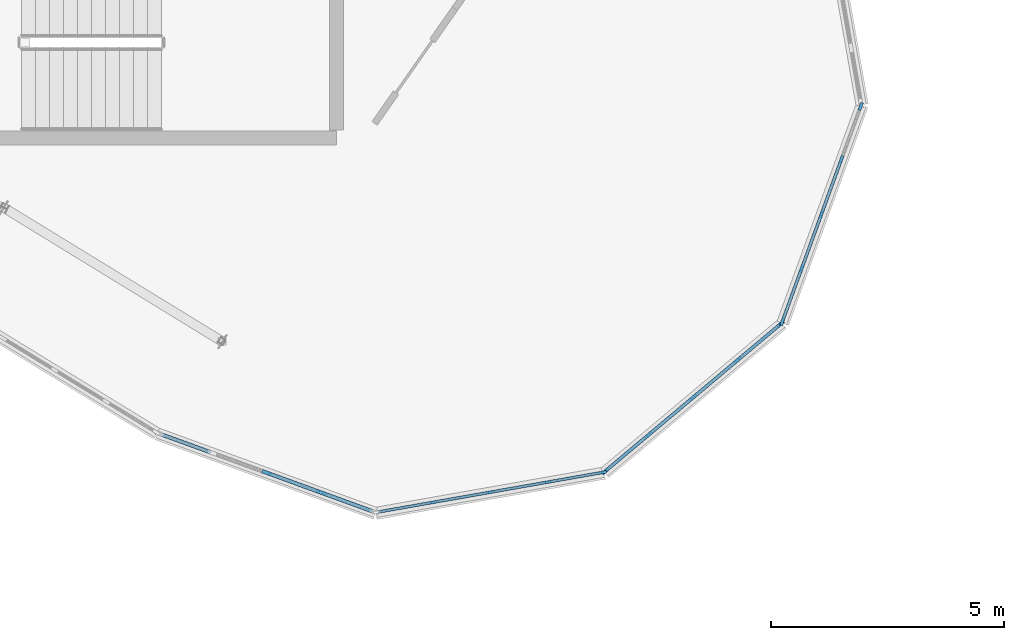
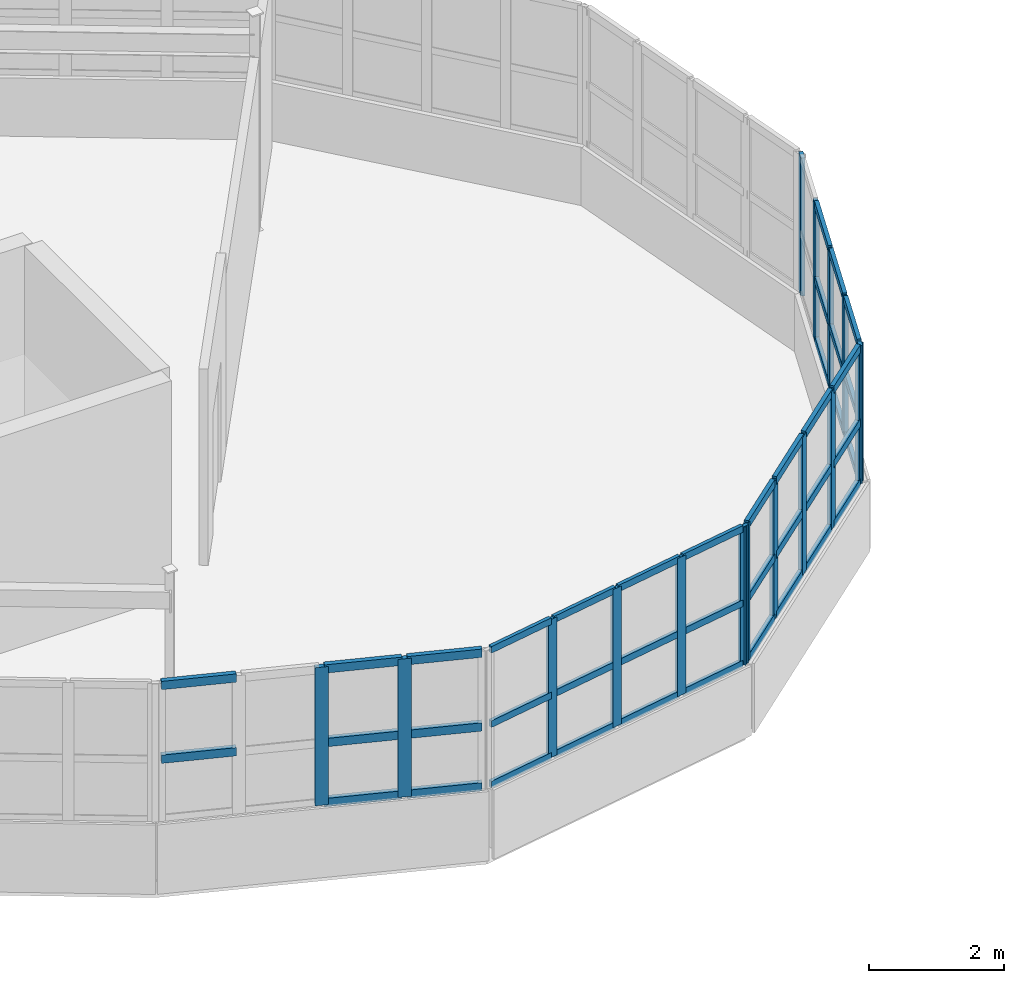
# One storey, part 42 of 79: 57 members, 4 elements without a shape of their own.
"""IFC4 building model written with IfcOpenShell, lengths in metres."""

from ifc_helpers import new_model, si_unit, direction, frame, origin, origin_2d, place, context, subcontext, project, spatial, rectangle, extrude, material, layer, layer_set, material_profile, profile_set, type_object, element, aggregate, save


model = new_model("IFC4")

# Units and contexts
model_context = context("Model", 3, precision=1e-05, world=origin(), true_north=direction((0.0, 1.0)))
body_context = subcontext(model_context, "Body", "Model", "MODEL_VIEW")
ifc_project = project(units=[si_unit("LENGTHUNIT", "METRE"), si_unit("AREAUNIT", "SQUARE_METRE"), si_unit("VOLUMEUNIT", "CUBIC_METRE"), si_unit("PLANEANGLEUNIT", "RADIAN"), si_unit("MASSUNIT", "GRAM", prefix="KILO")], contexts=[model_context])

# Site, building, storey
site_placement = place(None, origin())
site = spatial("IfcSite", under=ifc_project, at=site_placement, CompositionType="ELEMENT")
building_placement = place(site_placement, origin())
building = spatial("IfcBuilding", under=site, at=building_placement, Name="Tarnwether General Hospital", CompositionType="ELEMENT")
storey_placement = place(building_placement, frame((0.0, 0.0, 18.300048828125)))
storey = spatial("IfcBuildingStorey", under=building, at=storey_placement, Name="L04", CompositionType="ELEMENT", Elevation=18.300048828125)

# Curtain wall, members
ifc_material_1 = material(Name="Anodised aluminium", Category="aluminium")
ifc_layer = layer(ifc_material_1, 0.159912109375)
ifc_layer_set = layer_set([ifc_layer], Name="Anodised aluminium")
curtain_wall_type = type_object("IfcCurtainWallType", Name="CW-04", PredefinedType="NOTDEFINED", material=ifc_layer_set)
curtain_wall_1_placement = place(storey_placement, origin())
curtain_wall_1 = element("IfcCurtainWall", 1, at=curtain_wall_1_placement, inside=storey, type_object=curtain_wall_type, Name="Curtain Wall CWG-L04-1259_969-0049", PredefinedType="NOTDEFINED")
ifc_material_2 = material(Name="Anodised aluminium", Category="aluminium")
ifc_material_profile_1 = material_profile(ifc_material_2, rectangle(XDim=0.06005859375, YDim=0.159912109375, at=origin_2d()), Name="ALU-MUL-60x160")
ifc_profile_set_1 = profile_set([ifc_material_profile_1], Name="Anodised aluminium")
member_type_1 = type_object("IfcMemberType", Name="CW-ML1", PredefinedType="MULLION", material=ifc_profile_set_1)
member_1_placement = place(storey_placement, frame((125.853515625, 96.889892578125, 1.050048828125), z_axis=(0.0, 0.0, 1.0), x_axis=(0.173659059054, -0.984805834268, 0.0)))
member_1 = element("IfcMember", 2, at=member_1_placement, type_object=member_type_1, Name="CW-04 mullion 1", PredefinedType="MULLION", context=body_context, shape_type="SweptSolid", body=[
    extrude(rectangle(XDim=0.06005859375, YDim=0.159912109375, at=origin_2d()), origin(), (0.0, 0.0, 1.0), 2.489990234375),
])
member_2_placement = place(storey_placement, frame((124.659423828125, 96.67919921875, 1.050048828125), z_axis=(0.0, 0.0, 1.0), x_axis=(0.173659059054, -0.984805834268, 0.0)))
member_2 = element("IfcMember", 3, at=member_2_placement, type_object=member_type_1, Name="CW-04 mullion 2", PredefinedType="MULLION", context=body_context, shape_type="SweptSolid", body=[
    extrude(rectangle(XDim=0.06005859375, YDim=0.159912109375, at=origin_2d()), origin(), (0.0, 0.0, 1.0), 2.489990234375),
])
member_3_placement = place(storey_placement, frame((123.43603515625, 96.46337890625, 1.050048828125), z_axis=(0.0, 0.0, 1.0), x_axis=(0.173659059054, -0.984805834268, 0.0)))
member_3 = element("IfcMember", 4, at=member_3_placement, type_object=member_type_1, Name="CW-04 mullion 3", PredefinedType="MULLION", context=body_context, shape_type="SweptSolid", body=[
    extrude(rectangle(XDim=0.06005859375, YDim=0.159912109375, at=origin_2d()), origin(), (0.0, 0.0, 1.0), 2.489990234375),
])
member_4_placement = place(storey_placement, frame((122.21240234375, 96.247802734375, 1.050048828125), z_axis=(0.0, 0.0, 1.0), x_axis=(0.173659059054, -0.984805834268, 0.0)))
member_4 = element("IfcMember", 5, at=member_4_placement, type_object=member_type_1, Name="CW-04 mullion 4", PredefinedType="MULLION", context=body_context, shape_type="SweptSolid", body=[
    extrude(rectangle(XDim=0.06005859375, YDim=0.159912109375, at=origin_2d()), origin(), (0.0, 0.0, 1.0), 2.489990234375),
])

curtain_wall_2_placement = place(storey_placement, origin())
curtain_wall_2 = element("IfcCurtainWall", 6, at=curtain_wall_2_placement, inside=storey, type_object=curtain_wall_type, Name="Curtain Wall CWG-L04-1297_1001-0050", PredefinedType="NOTDEFINED")
ifc_material_3 = material(Name="Anodised aluminium", Category="aluminium")
ifc_material_profile_2 = material_profile(ifc_material_3, rectangle(XDim=0.070068359375, YDim=0.179931640625, at=origin_2d()), Name="ALU-MUL-70x180")
ifc_profile_set_2 = profile_set([ifc_material_profile_2], Name="Anodised aluminium")
member_type_2 = type_object("IfcMemberType", Name="CW-ML2", PredefinedType="MULLION", material=ifc_profile_set_2)
member_5_placement = place(storey_placement, frame((129.6630859375, 100.0673828125, 1.050048828125), z_axis=(0.0, 0.0, 1.0), x_axis=(0.64285227611, -0.765990176896, 0.0)))
member_5 = element("IfcMember", 7, at=member_5_placement, type_object=member_type_2, Name="CW-04 mullion 1", PredefinedType="MULLION", context=body_context, shape_type="SweptSolid", body=[
    extrude(rectangle(XDim=0.070068359375, YDim=0.179931640625, at=origin_2d()), origin(), (0.0, 0.0, 1.0), 2.489990234375),
])
member_6_placement = place(storey_placement, frame((128.73828125, 99.291259765625, 1.050048828125), z_axis=(0.0, 0.0, 1.0), x_axis=(0.64285227611, -0.765990176896, 0.0)))
member_6 = element("IfcMember", 8, at=member_6_placement, type_object=member_type_2, Name="CW-04 mullion 2", PredefinedType="MULLION", context=body_context, shape_type="SweptSolid", body=[
    extrude(rectangle(XDim=0.070068359375, YDim=0.179931640625, at=origin_2d()), origin(), (0.0, 0.0, 1.0), 2.489990234375),
])
member_7_placement = place(storey_placement, frame((127.78662109375, 98.492431640625, 1.050048828125), z_axis=(0.0, 0.0, 1.0), x_axis=(0.64285227611, -0.765990176896, 0.0)))
member_7 = element("IfcMember", 9, at=member_7_placement, type_object=member_type_2, Name="CW-04 mullion 3", PredefinedType="MULLION", context=body_context, shape_type="SweptSolid", body=[
    extrude(rectangle(XDim=0.070068359375, YDim=0.179931640625, at=origin_2d()), origin(), (0.0, 0.0, 1.0), 2.489990234375),
])
member_8_placement = place(storey_placement, frame((126.834716796875, 97.69384765625, 1.050048828125), z_axis=(0.0, 0.0, 1.0), x_axis=(0.64285227611, -0.765990176896, 0.0)))
member_8 = element("IfcMember", 10, at=member_8_placement, type_object=member_type_2, Name="CW-04 mullion 4", PredefinedType="MULLION", context=body_context, shape_type="SweptSolid", body=[
    extrude(rectangle(XDim=0.070068359375, YDim=0.179931640625, at=origin_2d()), origin(), (0.0, 0.0, 1.0), 2.489990234375),
])
member_9_placement = place(storey_placement, frame((125.909912109375, 96.91748046875, 1.050048828125), z_axis=(0.0, 0.0, 1.0), x_axis=(0.64285227611, -0.765990176896, 0.0)))
member_9 = element("IfcMember", 11, at=member_9_placement, type_object=member_type_2, Name="CW-04 mullion 5", PredefinedType="MULLION", context=body_context, shape_type="SweptSolid", body=[
    extrude(rectangle(XDim=0.070068359375, YDim=0.179931640625, at=origin_2d()), origin(), (0.0, 0.0, 1.0), 2.489990234375),
])

curtain_wall_3_placement = place(storey_placement, origin())
curtain_wall_3 = element("IfcCurtainWall", 12, at=curtain_wall_3_placement, inside=storey, type_object=curtain_wall_type, Name="Curtain Wall CWG-L04-1314_1048-0051", PredefinedType="NOTDEFINED")
ifc_material_4 = material(Name="Anodised aluminium", Category="aluminium")
ifc_material_profile_3 = material_profile(ifc_material_4, rectangle(XDim=0.06494140625, YDim=0.169921875, at=origin_2d()), Name="ALU-MUL-65x170")
ifc_profile_set_3 = profile_set([ifc_material_profile_3], Name="Anodised aluminium")
member_type_3 = type_object("IfcMemberType", Name="CW-ML3", PredefinedType="MULLION", material=ifc_profile_set_3)
member_10_placement = place(storey_placement, frame((131.3779296875, 104.728515625, 1.050048828125), z_axis=(0.0, 0.0, 1.0), x_axis=(0.939717006582, -0.341953136469, 0.0)))
member_10 = element("IfcMember", 13, at=member_10_placement, type_object=member_type_3, Name="CW-04 mullion 1", PredefinedType="MULLION", context=body_context, shape_type="SweptSolid", body=[
    extrude(rectangle(XDim=0.06494140625, YDim=0.169921875, at=origin_2d()), origin(), (0.0, 0.0, 1.0), 2.489990234375),
])
member_11_placement = place(storey_placement, frame((130.96435546875, 103.591796875, 1.050048828125), z_axis=(0.0, 0.0, 1.0), x_axis=(0.939717006582, -0.341953136469, 0.0)))
member_11 = element("IfcMember", 14, at=member_11_placement, type_object=member_type_3, Name="CW-04 mullion 2", PredefinedType="MULLION", context=body_context, shape_type="SweptSolid", body=[
    extrude(rectangle(XDim=0.06494140625, YDim=0.169921875, at=origin_2d()), origin(), (0.0, 0.0, 1.0), 2.489990234375),
])
member_12_placement = place(storey_placement, frame((130.53955078125, 102.424560546875, 1.050048828125), z_axis=(0.0, 0.0, 1.0), x_axis=(0.939717006582, -0.341953136469, 0.0)))
member_12 = element("IfcMember", 15, at=member_12_placement, type_object=member_type_3, Name="CW-04 mullion 3", PredefinedType="MULLION", context=body_context, shape_type="SweptSolid", body=[
    extrude(rectangle(XDim=0.06494140625, YDim=0.169921875, at=origin_2d()), origin(), (0.0, 0.0, 1.0), 2.489990234375),
])
member_13_placement = place(storey_placement, frame((130.11474609375, 101.25732421875, 1.050048828125), z_axis=(0.0, 0.0, 1.0), x_axis=(0.939717006582, -0.341953136469, 0.0)))
member_13 = element("IfcMember", 16, at=member_13_placement, type_object=member_type_3, Name="CW-04 mullion 4", PredefinedType="MULLION", context=body_context, shape_type="SweptSolid", body=[
    extrude(rectangle(XDim=0.06494140625, YDim=0.169921875, at=origin_2d()), origin(), (0.0, 0.0, 1.0), 2.489990234375),
])
member_14_placement = place(storey_placement, frame((129.701171875, 100.12060546875, 1.050048828125), z_axis=(0.0, 0.0, 1.0), x_axis=(0.939717006582, -0.341953136469, 0.0)))
member_14 = element("IfcMember", 17, at=member_14_placement, type_object=member_type_3, Name="CW-04 mullion 5", PredefinedType="MULLION", context=body_context, shape_type="SweptSolid", body=[
    extrude(rectangle(XDim=0.06494140625, YDim=0.169921875, at=origin_2d()), origin(), (0.0, 0.0, 1.0), 2.489990234375),
])

curtain_wall_4_placement = place(storey_placement, origin())
curtain_wall_4 = element("IfcCurtainWall", 18, at=curtain_wall_4_placement, inside=storey, type_object=curtain_wall_type, Name="Curtain Wall CWG-L04-1210_960-0048", PredefinedType="NOTDEFINED")
ifc_material_5 = material(Name="Anodised aluminium", Category="aluminium")
ifc_material_profile_4 = material_profile(ifc_material_5, rectangle(XDim=0.080078125, YDim=0.199951171875, at=origin_2d()), Name="ALU-MUL-80x200")
ifc_profile_set_4 = profile_set([ifc_material_profile_4], Name="Anodised aluminium")
member_type_4 = type_object("IfcMemberType", Name="CW-ML4", PredefinedType="MULLION", material=ifc_profile_set_4)
member_15_placement = place(storey_placement, frame((119.82177734375, 96.45703125, 1.050048828125), z_axis=(0.0, 0.0, 1.0), x_axis=(-0.342130850834, -0.939652319163, 0.0)))
member_15 = element("IfcMember", 19, at=member_15_placement, type_object=member_type_4, Name="CW-04 mullion 2", PredefinedType="MULLION", context=body_context, shape_type="SweptSolid", body=[
    extrude(rectangle(XDim=0.080078125, YDim=0.199951171875, at=origin_2d()), origin(), (0.0, 0.0, 1.0), 2.489990234375),
])
member_16_placement = place(storey_placement, frame((118.654541015625, 96.882080078125, 1.050048828125), z_axis=(0.0, 0.0, 1.0), x_axis=(-0.342130850834, -0.939652319163, 0.0)))
member_16 = element("IfcMember", 20, at=member_16_placement, type_object=member_type_4, Name="CW-04 mullion 3", PredefinedType="MULLION", context=body_context, shape_type="SweptSolid", body=[
    extrude(rectangle(XDim=0.080078125, YDim=0.199951171875, at=origin_2d()), origin(), (0.0, 0.0, 1.0), 2.489990234375),
])

# Member
ifc_material_6 = material(Name="Anodised aluminium", Category="aluminium")
ifc_material_profile_5 = material_profile(ifc_material_6, rectangle(XDim=0.06005859375, YDim=0.1201171875, at=origin_2d()), Name="ALU-TRN-60x120")
ifc_profile_set_5 = profile_set([ifc_material_profile_5], Name="Anodised aluminium")
member_type_5 = type_object("IfcMemberType", Name="CW-TR1", PredefinedType="USERDEFINED", material=ifc_profile_set_5)
member_17_placement = place(storey_placement, frame((125.823974609375, 96.884521484375, 1.079833984375), z_axis=(-0.984834698435, -0.173495293185, 0.0), x_axis=(0.173495293185, -0.984834698435, 0.0)))
member_17 = element("IfcMember", 21, at=member_17_placement, type_object=member_type_5, Name="CW-04 transom 1.1", ObjectType="TRANSOM", PredefinedType="USERDEFINED", context=body_context, shape_type="SweptSolid", body=[
    extrude(rectangle(XDim=0.06005859375, YDim=0.1201171875, at=origin_2d()), origin(), (0.0, 0.0, 1.0), 1.152587890625),
])

member_18_placement = place(storey_placement, frame((125.823974609375, 96.884521484375, 2.17041015625), z_axis=(-0.984834698435, -0.173495293185, 0.0), x_axis=(0.173495293185, -0.984834698435, 0.0)))
member_18 = element("IfcMember", 22, at=member_18_placement, type_object=member_type_5, Name="CW-04 transom 1.2", ObjectType="TRANSOM", PredefinedType="USERDEFINED", context=body_context, shape_type="SweptSolid", body=[
    extrude(rectangle(XDim=0.06005859375, YDim=0.1201171875, at=origin_2d()), origin(), (0.0, 0.0, 1.0), 1.152587890625),
])

member_19_placement = place(storey_placement, frame((125.823974609375, 96.884521484375, 3.510009765625), z_axis=(-0.984834698435, -0.173495293185, 0.0), x_axis=(0.173495293185, -0.984834698435, 0.0)))
member_19 = element("IfcMember", 23, at=member_19_placement, type_object=member_type_5, Name="CW-04 transom 1.3", ObjectType="TRANSOM", PredefinedType="USERDEFINED", context=body_context, shape_type="SweptSolid", body=[
    extrude(rectangle(XDim=0.06005859375, YDim=0.1201171875, at=origin_2d()), origin(), (0.0, 0.0, 1.0), 1.152587890625),
])

member_20_placement = place(storey_placement, frame((124.6298828125, 96.674072265625, 1.079833984375), z_axis=(-0.984804340486, -0.173667529954, 0.0), x_axis=(0.173667529954, -0.984804340486, 0.0)))
member_20 = element("IfcMember", 24, at=member_20_placement, type_object=member_type_5, Name="CW-04 transom 2.1", ObjectType="TRANSOM", PredefinedType="USERDEFINED", context=body_context, shape_type="SweptSolid", body=[
    extrude(rectangle(XDim=0.06005859375, YDim=0.1201171875, at=origin_2d()), origin(), (0.0, 0.0, 1.0), 1.182373046875),
])

member_21_placement = place(storey_placement, frame((124.6298828125, 96.674072265625, 2.17041015625), z_axis=(-0.984804340486, -0.173667529954, 0.0), x_axis=(0.173667529954, -0.984804340486, 0.0)))
member_21 = element("IfcMember", 25, at=member_21_placement, type_object=member_type_5, Name="CW-04 transom 2.2", ObjectType="TRANSOM", PredefinedType="USERDEFINED", context=body_context, shape_type="SweptSolid", body=[
    extrude(rectangle(XDim=0.06005859375, YDim=0.1201171875, at=origin_2d()), origin(), (0.0, 0.0, 1.0), 1.182373046875),
])

member_22_placement = place(storey_placement, frame((124.6298828125, 96.674072265625, 3.510009765625), z_axis=(-0.984804340486, -0.173667529954, 0.0), x_axis=(0.173667529954, -0.984804340486, 0.0)))
member_22 = element("IfcMember", 26, at=member_22_placement, type_object=member_type_5, Name="CW-04 transom 2.3", ObjectType="TRANSOM", PredefinedType="USERDEFINED", context=body_context, shape_type="SweptSolid", body=[
    extrude(rectangle(XDim=0.06005859375, YDim=0.1201171875, at=origin_2d()), origin(), (0.0, 0.0, 1.0), 1.182373046875),
])

member_23_placement = place(storey_placement, frame((123.406494140625, 96.458251953125, 1.079833984375), z_axis=(-0.984810566748, -0.17363221942, 0.0), x_axis=(0.17363221942, -0.984810566748, 0.0)))
member_23 = element("IfcMember", 27, at=member_23_placement, type_object=member_type_5, Name="CW-04 transom 3.1", ObjectType="TRANSOM", PredefinedType="USERDEFINED", context=body_context, shape_type="SweptSolid", body=[
    extrude(rectangle(XDim=0.06005859375, YDim=0.1201171875, at=origin_2d()), origin(), (0.0, 0.0, 1.0), 1.1826171875),
])

member_24_placement = place(storey_placement, frame((123.406494140625, 96.458251953125, 2.17041015625), z_axis=(-0.984810566748, -0.17363221942, 0.0), x_axis=(0.17363221942, -0.984810566748, 0.0)))
member_24 = element("IfcMember", 28, at=member_24_placement, type_object=member_type_5, Name="CW-04 transom 3.2", ObjectType="TRANSOM", PredefinedType="USERDEFINED", context=body_context, shape_type="SweptSolid", body=[
    extrude(rectangle(XDim=0.06005859375, YDim=0.1201171875, at=origin_2d()), origin(), (0.0, 0.0, 1.0), 1.1826171875),
])

member_25_placement = place(storey_placement, frame((123.406494140625, 96.458251953125, 3.510009765625), z_axis=(-0.984810566748, -0.17363221942, 0.0), x_axis=(0.17363221942, -0.984810566748, 0.0)))
member_25 = element("IfcMember", 29, at=member_25_placement, type_object=member_type_5, Name="CW-04 transom 3.3", ObjectType="TRANSOM", PredefinedType="USERDEFINED", context=body_context, shape_type="SweptSolid", body=[
    extrude(rectangle(XDim=0.06005859375, YDim=0.1201171875, at=origin_2d()), origin(), (0.0, 0.0, 1.0), 1.1826171875),
])

member_26_placement = place(storey_placement, frame((122.182861328125, 96.242431640625, 1.079833984375), z_axis=(-0.984828319986, -0.173531496142, 0.0), x_axis=(0.173531496142, -0.984828319986, 0.0)))
member_26 = element("IfcMember", 30, at=member_26_placement, type_object=member_type_5, Name="CW-04 transom 4.1", ObjectType="TRANSOM", PredefinedType="USERDEFINED", context=body_context, shape_type="SweptSolid", body=[
    extrude(rectangle(XDim=0.06005859375, YDim=0.1201171875, at=origin_2d()), origin(), (0.0, 0.0, 1.0), 1.15234375),
])

member_27_placement = place(storey_placement, frame((122.182861328125, 96.242431640625, 2.17041015625), z_axis=(-0.984828319986, -0.173531496142, 0.0), x_axis=(0.173531496142, -0.984828319986, 0.0)))
member_27 = element("IfcMember", 31, at=member_27_placement, type_object=member_type_5, Name="CW-04 transom 4.2", ObjectType="TRANSOM", PredefinedType="USERDEFINED", context=body_context, shape_type="SweptSolid", body=[
    extrude(rectangle(XDim=0.06005859375, YDim=0.1201171875, at=origin_2d()), origin(), (0.0, 0.0, 1.0), 1.15234375),
])

member_28_placement = place(storey_placement, frame((122.182861328125, 96.242431640625, 3.510009765625), z_axis=(-0.984828319986, -0.173531496142, 0.0), x_axis=(0.173531496142, -0.984828319986, 0.0)))
member_28 = element("IfcMember", 32, at=member_28_placement, type_object=member_type_5, Name="CW-04 transom 4.3", ObjectType="TRANSOM", PredefinedType="USERDEFINED", context=body_context, shape_type="SweptSolid", body=[
    extrude(rectangle(XDim=0.06005859375, YDim=0.1201171875, at=origin_2d()), origin(), (0.0, 0.0, 1.0), 1.15234375),
])

aggregate(curtain_wall_1, [member_1, member_2, member_3, member_4, member_17, member_18, member_19, member_20, member_21, member_22, member_23, member_24, member_25, member_26, member_27, member_28])

ifc_material_7 = material(Name="Anodised aluminium", Category="aluminium")
ifc_material_profile_6 = material_profile(ifc_material_7, rectangle(XDim=0.070068359375, YDim=0.139892578125, at=origin_2d()), Name="ALU-TRN-70x140")
ifc_profile_set_6 = profile_set([ifc_material_profile_6], Name="Anodised aluminium")
member_type_6 = type_object("IfcMemberType", Name="CW-TR2", PredefinedType="USERDEFINED", material=ifc_profile_set_6)
member_29_placement = place(storey_placement, frame((129.636474609375, 100.044921875, 1.0849609375), z_axis=(-0.766017660128, -0.642819527062, 0.0), x_axis=(0.642819527062, -0.766017660128, 0.0)))
member_29 = element("IfcMember", 33, at=member_29_placement, type_object=member_type_6, Name="CW-04 transom 1.1", ObjectType="TRANSOM", PredefinedType="USERDEFINED", context=body_context, shape_type="SweptSolid", body=[
    extrude(rectangle(XDim=0.070068359375, YDim=0.139892578125, at=origin_2d()), origin(), (0.0, 0.0, 1.0), 1.137451171875),
])

member_30_placement = place(storey_placement, frame((129.636474609375, 100.044921875, 2.17041015625), z_axis=(-0.766017660128, -0.642819527062, 0.0), x_axis=(0.642819527062, -0.766017660128, 0.0)))
member_30 = element("IfcMember", 34, at=member_30_placement, type_object=member_type_6, Name="CW-04 transom 1.2", ObjectType="TRANSOM", PredefinedType="USERDEFINED", context=body_context, shape_type="SweptSolid", body=[
    extrude(rectangle(XDim=0.070068359375, YDim=0.139892578125, at=origin_2d()), origin(), (0.0, 0.0, 1.0), 1.137451171875),
])

member_31_placement = place(storey_placement, frame((129.636474609375, 100.044921875, 3.5048828125), z_axis=(-0.766017660128, -0.642819527062, 0.0), x_axis=(0.642819527062, -0.766017660128, 0.0)))
member_31 = element("IfcMember", 35, at=member_31_placement, type_object=member_type_6, Name="CW-04 transom 1.3", ObjectType="TRANSOM", PredefinedType="USERDEFINED", context=body_context, shape_type="SweptSolid", body=[
    extrude(rectangle(XDim=0.070068359375, YDim=0.139892578125, at=origin_2d()), origin(), (0.0, 0.0, 1.0), 1.137451171875),
])

member_32_placement = place(storey_placement, frame((128.71142578125, 99.268798828125, 1.0849609375), z_axis=(-0.765946792519, -0.642903967191, 0.0), x_axis=(0.642903967191, -0.765946792519, 0.0)))
member_32 = element("IfcMember", 36, at=member_32_placement, type_object=member_type_6, Name="CW-04 transom 2.1", ObjectType="TRANSOM", PredefinedType="USERDEFINED", context=body_context, shape_type="SweptSolid", body=[
    extrude(rectangle(XDim=0.070068359375, YDim=0.139892578125, at=origin_2d()), origin(), (0.0, 0.0, 1.0), 1.172607421875),
])

member_33_placement = place(storey_placement, frame((128.71142578125, 99.268798828125, 2.17041015625), z_axis=(-0.765946792519, -0.642903967191, 0.0), x_axis=(0.642903967191, -0.765946792519, 0.0)))
member_33 = element("IfcMember", 37, at=member_33_placement, type_object=member_type_6, Name="CW-04 transom 2.2", ObjectType="TRANSOM", PredefinedType="USERDEFINED", context=body_context, shape_type="SweptSolid", body=[
    extrude(rectangle(XDim=0.070068359375, YDim=0.139892578125, at=origin_2d()), origin(), (0.0, 0.0, 1.0), 1.172607421875),
])

member_34_placement = place(storey_placement, frame((128.71142578125, 99.268798828125, 3.5048828125), z_axis=(-0.765946792519, -0.642903967191, 0.0), x_axis=(0.642903967191, -0.765946792519, 0.0)))
member_34 = element("IfcMember", 38, at=member_34_placement, type_object=member_type_6, Name="CW-04 transom 2.3", ObjectType="TRANSOM", PredefinedType="USERDEFINED", context=body_context, shape_type="SweptSolid", body=[
    extrude(rectangle(XDim=0.070068359375, YDim=0.139892578125, at=origin_2d()), origin(), (0.0, 0.0, 1.0), 1.172607421875),
])

member_35_placement = place(storey_placement, frame((127.759765625, 98.469970703125, 1.0849609375), z_axis=(-0.766049317662, -0.642781800387, 0.0), x_axis=(0.642781800387, -0.766049317662, 0.0)))
member_35 = element("IfcMember", 39, at=member_35_placement, type_object=member_type_6, Name="CW-04 transom 3.1", ObjectType="TRANSOM", PredefinedType="USERDEFINED", context=body_context, shape_type="SweptSolid", body=[
    extrude(rectangle(XDim=0.070068359375, YDim=0.139892578125, at=origin_2d()), origin(), (0.0, 0.0, 1.0), 1.172607421875),
])

member_36_placement = place(storey_placement, frame((127.759765625, 98.469970703125, 2.17041015625), z_axis=(-0.766049317662, -0.642781800387, 0.0), x_axis=(0.642781800387, -0.766049317662, 0.0)))
member_36 = element("IfcMember", 40, at=member_36_placement, type_object=member_type_6, Name="CW-04 transom 3.2", ObjectType="TRANSOM", PredefinedType="USERDEFINED", context=body_context, shape_type="SweptSolid", body=[
    extrude(rectangle(XDim=0.070068359375, YDim=0.139892578125, at=origin_2d()), origin(), (0.0, 0.0, 1.0), 1.172607421875),
])

member_37_placement = place(storey_placement, frame((127.759765625, 98.469970703125, 3.5048828125), z_axis=(-0.766049317662, -0.642781800387, 0.0), x_axis=(0.642781800387, -0.766049317662, 0.0)))
member_37 = element("IfcMember", 41, at=member_37_placement, type_object=member_type_6, Name="CW-04 transom 3.3", ObjectType="TRANSOM", PredefinedType="USERDEFINED", context=body_context, shape_type="SweptSolid", body=[
    extrude(rectangle(XDim=0.070068359375, YDim=0.139892578125, at=origin_2d()), origin(), (0.0, 0.0, 1.0), 1.172607421875),
])

member_38_placement = place(storey_placement, frame((126.807861328125, 97.671142578125, 1.0849609375), z_axis=(-0.766017660128, -0.642819527062, 0.0), x_axis=(0.642819527062, -0.766017660128, 0.0)))
member_38 = element("IfcMember", 42, at=member_38_placement, type_object=member_type_6, Name="CW-04 transom 4.1", ObjectType="TRANSOM", PredefinedType="USERDEFINED", context=body_context, shape_type="SweptSolid", body=[
    extrude(rectangle(XDim=0.070068359375, YDim=0.139892578125, at=origin_2d()), origin(), (0.0, 0.0, 1.0), 1.137451171875),
])

member_39_placement = place(storey_placement, frame((126.807861328125, 97.671142578125, 2.17041015625), z_axis=(-0.766017660128, -0.642819527062, 0.0), x_axis=(0.642819527062, -0.766017660128, 0.0)))
member_39 = element("IfcMember", 43, at=member_39_placement, type_object=member_type_6, Name="CW-04 transom 4.2", ObjectType="TRANSOM", PredefinedType="USERDEFINED", context=body_context, shape_type="SweptSolid", body=[
    extrude(rectangle(XDim=0.070068359375, YDim=0.139892578125, at=origin_2d()), origin(), (0.0, 0.0, 1.0), 1.137451171875),
])

member_40_placement = place(storey_placement, frame((126.807861328125, 97.671142578125, 3.5048828125), z_axis=(-0.766017660128, -0.642819527062, 0.0), x_axis=(0.642819527062, -0.766017660128, 0.0)))
member_40 = element("IfcMember", 44, at=member_40_placement, type_object=member_type_6, Name="CW-04 transom 4.3", ObjectType="TRANSOM", PredefinedType="USERDEFINED", context=body_context, shape_type="SweptSolid", body=[
    extrude(rectangle(XDim=0.070068359375, YDim=0.139892578125, at=origin_2d()), origin(), (0.0, 0.0, 1.0), 1.137451171875),
])

aggregate(curtain_wall_2, [member_5, member_6, member_7, member_8, member_9, member_29, member_30, member_31, member_32, member_33, member_34, member_35, member_36, member_37, member_38, member_39, member_40])

ifc_material_8 = material(Name="Anodised aluminium", Category="aluminium")
ifc_material_profile_7 = material_profile(ifc_material_8, rectangle(XDim=0.06494140625, YDim=0.1298828125, at=origin_2d()), Name="ALU-TRN-65x130")
ifc_profile_set_7 = profile_set([ifc_material_profile_7], Name="Anodised aluminium")
member_type_7 = type_object("IfcMemberType", Name="CW-TR3", PredefinedType="USERDEFINED", material=ifc_profile_set_7)
member_41_placement = place(storey_placement, frame((130.953125, 103.561279296875, 1.08251953125), z_axis=(-0.341992832203, -0.939702560772, 0.0), x_axis=(0.939702560772, -0.341992832203, 0.0)))
member_41 = element("IfcMember", 45, at=member_41_placement, type_object=member_type_7, Name="CW-04 transom 2.1", ObjectType="TRANSOM", PredefinedType="USERDEFINED", context=body_context, shape_type="SweptSolid", body=[
    extrude(rectangle(XDim=0.06494140625, YDim=0.1298828125, at=origin_2d()), origin(), (0.0, 0.0, 1.0), 1.17724609375),
])

member_42_placement = place(storey_placement, frame((130.953125, 103.561279296875, 2.17041015625), z_axis=(-0.341992832203, -0.939702560772, 0.0), x_axis=(0.939702560772, -0.341992832203, 0.0)))
member_42 = element("IfcMember", 46, at=member_42_placement, type_object=member_type_7, Name="CW-04 transom 2.2", ObjectType="TRANSOM", PredefinedType="USERDEFINED", context=body_context, shape_type="SweptSolid", body=[
    extrude(rectangle(XDim=0.06494140625, YDim=0.1298828125, at=origin_2d()), origin(), (0.0, 0.0, 1.0), 1.17724609375),
])

member_43_placement = place(storey_placement, frame((130.953125, 103.561279296875, 3.507568359375), z_axis=(-0.341992832203, -0.939702560772, 0.0), x_axis=(0.939702560772, -0.341992832203, 0.0)))
member_43 = element("IfcMember", 47, at=member_43_placement, type_object=member_type_7, Name="CW-04 transom 2.3", ObjectType="TRANSOM", PredefinedType="USERDEFINED", context=body_context, shape_type="SweptSolid", body=[
    extrude(rectangle(XDim=0.06494140625, YDim=0.1298828125, at=origin_2d()), origin(), (0.0, 0.0, 1.0), 1.17724609375),
])

member_44_placement = place(storey_placement, frame((130.5283203125, 102.39404296875, 1.08251953125), z_axis=(-0.341809675268, -0.939769198204, 0.0), x_axis=(0.939769198204, -0.341809675268, 0.0)))
member_44 = element("IfcMember", 48, at=member_44_placement, type_object=member_type_7, Name="CW-04 transom 3.1", ObjectType="TRANSOM", PredefinedType="USERDEFINED", context=body_context, shape_type="SweptSolid", body=[
    extrude(rectangle(XDim=0.06494140625, YDim=0.1298828125, at=origin_2d()), origin(), (0.0, 0.0, 1.0), 1.177001953125),
])

member_45_placement = place(storey_placement, frame((130.5283203125, 102.39404296875, 2.17041015625), z_axis=(-0.341809675268, -0.939769198204, 0.0), x_axis=(0.939769198204, -0.341809675268, 0.0)))
member_45 = element("IfcMember", 49, at=member_45_placement, type_object=member_type_7, Name="CW-04 transom 3.2", ObjectType="TRANSOM", PredefinedType="USERDEFINED", context=body_context, shape_type="SweptSolid", body=[
    extrude(rectangle(XDim=0.06494140625, YDim=0.1298828125, at=origin_2d()), origin(), (0.0, 0.0, 1.0), 1.177001953125),
])

member_46_placement = place(storey_placement, frame((130.5283203125, 102.39404296875, 3.507568359375), z_axis=(-0.341809675268, -0.939769198204, 0.0), x_axis=(0.939769198204, -0.341809675268, 0.0)))
member_46 = element("IfcMember", 50, at=member_46_placement, type_object=member_type_7, Name="CW-04 transom 3.3", ObjectType="TRANSOM", PredefinedType="USERDEFINED", context=body_context, shape_type="SweptSolid", body=[
    extrude(rectangle(XDim=0.06494140625, YDim=0.1298828125, at=origin_2d()), origin(), (0.0, 0.0, 1.0), 1.177001953125),
])

member_47_placement = place(storey_placement, frame((130.103515625, 101.226806640625, 1.08251953125), z_axis=(-0.341897184747, -0.939737364939, 0.0), x_axis=(0.939737364939, -0.341897184747, 0.0)))
member_47 = element("IfcMember", 51, at=member_47_placement, type_object=member_type_7, Name="CW-04 transom 4.1", ObjectType="TRANSOM", PredefinedType="USERDEFINED", context=body_context, shape_type="SweptSolid", body=[
    extrude(rectangle(XDim=0.06494140625, YDim=0.1298828125, at=origin_2d()), origin(), (0.0, 0.0, 1.0), 1.144775390625),
])

member_48_placement = place(storey_placement, frame((130.103515625, 101.226806640625, 2.17041015625), z_axis=(-0.341897184747, -0.939737364939, 0.0), x_axis=(0.939737364939, -0.341897184747, 0.0)))
member_48 = element("IfcMember", 52, at=member_48_placement, type_object=member_type_7, Name="CW-04 transom 4.2", ObjectType="TRANSOM", PredefinedType="USERDEFINED", context=body_context, shape_type="SweptSolid", body=[
    extrude(rectangle(XDim=0.06494140625, YDim=0.1298828125, at=origin_2d()), origin(), (0.0, 0.0, 1.0), 1.144775390625),
])

member_49_placement = place(storey_placement, frame((130.103515625, 101.226806640625, 3.507568359375), z_axis=(-0.341897184747, -0.939737364939, 0.0), x_axis=(0.939737364939, -0.341897184747, 0.0)))
member_49 = element("IfcMember", 53, at=member_49_placement, type_object=member_type_7, Name="CW-04 transom 4.3", ObjectType="TRANSOM", PredefinedType="USERDEFINED", context=body_context, shape_type="SweptSolid", body=[
    extrude(rectangle(XDim=0.06494140625, YDim=0.1298828125, at=origin_2d()), origin(), (0.0, 0.0, 1.0), 1.144775390625),
])

aggregate(curtain_wall_3, [member_10, member_11, member_12, member_13, member_14, member_41, member_42, member_43, member_44, member_45, member_46, member_47, member_48, member_49])

ifc_material_9 = material(Name="Anodised aluminium", Category="aluminium")
ifc_material_profile_8 = material_profile(ifc_material_9, rectangle(XDim=0.080078125, YDim=0.14990234375, at=origin_2d()), Name="ALU-TRN-80x150")
ifc_profile_set_8 = profile_set([ifc_material_profile_8], Name="Anodised aluminium")
member_type_8 = type_object("IfcMemberType", Name="CW-TR4", PredefinedType="USERDEFINED", material=ifc_profile_set_8)
member_50_placement = place(storey_placement, frame((120.913818359375, 96.059326171875, 1.08984375), z_axis=(-0.939621801611, 0.342214654766, 0.0), x_axis=(-0.342214654766, -0.939621801611, 0.0)))
member_50 = element("IfcMember", 54, at=member_50_placement, type_object=member_type_8, Name="CW-04 transom 1.1", ObjectType="TRANSOM", PredefinedType="USERDEFINED", context=body_context, shape_type="SweptSolid", body=[
    extrude(rectangle(XDim=0.080078125, YDim=0.14990234375, at=origin_2d()), origin(), (0.0, 0.0, 1.0), 1.122314453125),
])

member_51_placement = place(storey_placement, frame((120.913818359375, 96.059326171875, 2.17041015625), z_axis=(-0.939621801611, 0.342214654766, 0.0), x_axis=(-0.342214654766, -0.939621801611, 0.0)))
member_51 = element("IfcMember", 55, at=member_51_placement, type_object=member_type_8, Name="CW-04 transom 1.2", ObjectType="TRANSOM", PredefinedType="USERDEFINED", context=body_context, shape_type="SweptSolid", body=[
    extrude(rectangle(XDim=0.080078125, YDim=0.14990234375, at=origin_2d()), origin(), (0.0, 0.0, 1.0), 1.122314453125),
])

member_52_placement = place(storey_placement, frame((120.913818359375, 96.059326171875, 3.5), z_axis=(-0.939621801611, 0.342214654766, 0.0), x_axis=(-0.342214654766, -0.939621801611, 0.0)))
member_52 = element("IfcMember", 56, at=member_52_placement, type_object=member_type_8, Name="CW-04 transom 1.3", ObjectType="TRANSOM", PredefinedType="USERDEFINED", context=body_context, shape_type="SweptSolid", body=[
    extrude(rectangle(XDim=0.080078125, YDim=0.14990234375, at=origin_2d()), origin(), (0.0, 0.0, 1.0), 1.122314453125),
])

member_53_placement = place(storey_placement, frame((119.7841796875, 96.470703125, 1.08984375), z_axis=(-0.939627713237, 0.342198422728, 0.0), x_axis=(-0.342198422728, -0.939627713237, 0.0)))
member_53 = element("IfcMember", 57, at=member_53_placement, type_object=member_type_8, Name="CW-04 transom 2.1", ObjectType="TRANSOM", PredefinedType="USERDEFINED", context=body_context, shape_type="SweptSolid", body=[
    extrude(rectangle(XDim=0.080078125, YDim=0.14990234375, at=origin_2d()), origin(), (0.0, 0.0, 1.0), 1.162109375),
])

member_54_placement = place(storey_placement, frame((119.7841796875, 96.470703125, 2.17041015625), z_axis=(-0.939627713237, 0.342198422728, 0.0), x_axis=(-0.342198422728, -0.939627713237, 0.0)))
member_54 = element("IfcMember", 58, at=member_54_placement, type_object=member_type_8, Name="CW-04 transom 2.2", ObjectType="TRANSOM", PredefinedType="USERDEFINED", context=body_context, shape_type="SweptSolid", body=[
    extrude(rectangle(XDim=0.080078125, YDim=0.14990234375, at=origin_2d()), origin(), (0.0, 0.0, 1.0), 1.162109375),
])

member_55_placement = place(storey_placement, frame((119.7841796875, 96.470703125, 3.5), z_axis=(-0.939627713237, 0.342198422728, 0.0), x_axis=(-0.342198422728, -0.939627713237, 0.0)))
member_55 = element("IfcMember", 59, at=member_55_placement, type_object=member_type_8, Name="CW-04 transom 2.3", ObjectType="TRANSOM", PredefinedType="USERDEFINED", context=body_context, shape_type="SweptSolid", body=[
    extrude(rectangle(XDim=0.080078125, YDim=0.14990234375, at=origin_2d()), origin(), (0.0, 0.0, 1.0), 1.162109375),
])

member_56_placement = place(storey_placement, frame((117.44970703125, 97.32080078125, 2.17041015625), z_axis=(-0.939691742636, 0.342022556014, 0.0), x_axis=(-0.342022556014, -0.939691742636, 0.0)))
member_56 = element("IfcMember", 60, at=member_56_placement, type_object=member_type_8, Name="CW-04 transom 4.2", ObjectType="TRANSOM", PredefinedType="USERDEFINED", context=body_context, shape_type="SweptSolid", body=[
    extrude(rectangle(XDim=0.080078125, YDim=0.14990234375, at=origin_2d()), origin(), (0.0, 0.0, 1.0), 1.1220703125),
])

member_57_placement = place(storey_placement, frame((117.44970703125, 97.32080078125, 3.5), z_axis=(-0.939691742636, 0.342022556014, 0.0), x_axis=(-0.342022556014, -0.939691742636, 0.0)))
member_57 = element("IfcMember", 61, at=member_57_placement, type_object=member_type_8, Name="CW-04 transom 4.3", ObjectType="TRANSOM", PredefinedType="USERDEFINED", context=body_context, shape_type="SweptSolid", body=[
    extrude(rectangle(XDim=0.080078125, YDim=0.14990234375, at=origin_2d()), origin(), (0.0, 0.0, 1.0), 1.1220703125),
])

aggregate(curtain_wall_4, [member_15, member_16, member_50, member_51, member_52, member_53, member_54, member_55, member_56, member_57])

save(model, "model.ifc")
